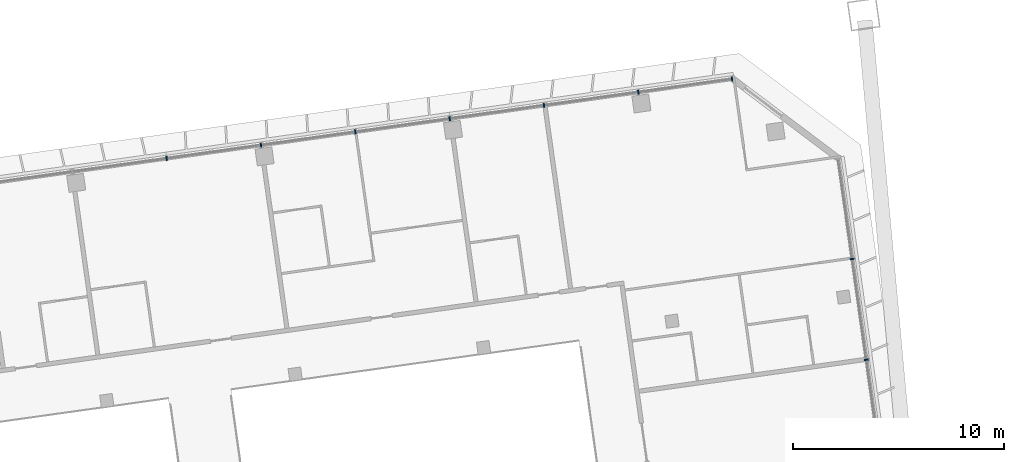
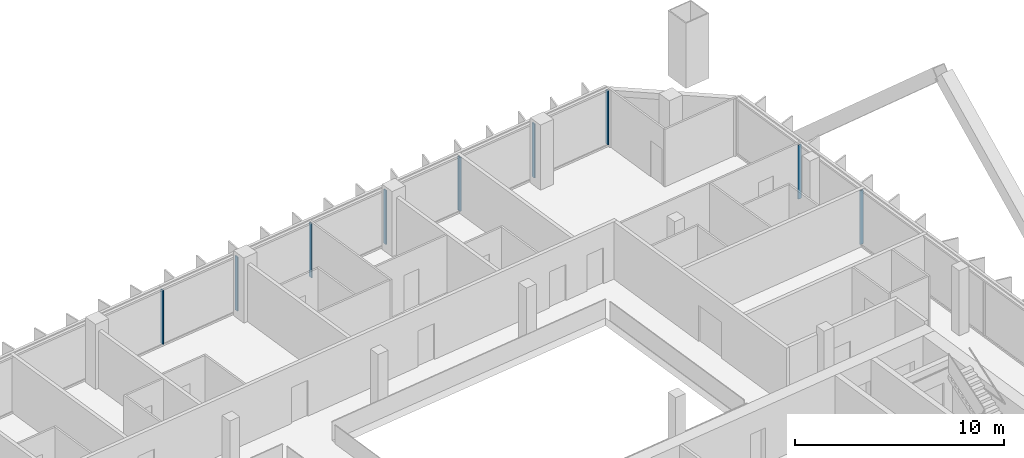
# One storey, part 13 of 28: 9 members, 2 elements without a shape of their own.
"""IFC4 building model written with IfcOpenShell, lengths in metres."""

from ifc_helpers import new_model, si_unit, direction, frame, origin, origin_2d, place, context, subcontext, project, spatial, rectangle, extrude, material, material_profile, profile_set, type_object, element, aggregate, save


model = new_model("IFC4")

# Units and contexts
model_context = context("Model", 3, precision=1e-05, world=origin(), true_north=direction((0.0, 1.0)))
body_context = subcontext(model_context, "Body", "Model", "MODEL_VIEW")
ifc_project = project(units=[si_unit("LENGTHUNIT", "METRE"), si_unit("AREAUNIT", "SQUARE_METRE"), si_unit("VOLUMEUNIT", "CUBIC_METRE"), si_unit("PLANEANGLEUNIT", "RADIAN"), si_unit("MASSUNIT", "GRAM", prefix="KILO")], contexts=[model_context])

# Site, building, storey
site_placement = place(None, origin())
site = spatial("IfcSite", under=ifc_project, at=site_placement, CompositionType="ELEMENT")
building_placement = place(site_placement, origin())
building = spatial("IfcBuilding", under=site, at=building_placement, Name="Mirante Cascada Hotel Towers", CompositionType="ELEMENT")
storey_placement = place(building_placement, frame((0.0, 0.0, 165.0)))
storey = spatial("IfcBuildingStorey", under=building, at=storey_placement, Name="L38", CompositionType="ELEMENT", Elevation=165.0)

# Curtain wall, members
ifc_material_1 = material(Name="Aluminium mullion and transom frame with clear laminated glass", Category="aluminium")
curtain_wall_type_1 = type_object("IfcCurtainWallType", Name="Ribbon curtain wall ECW1", PredefinedType="NOTDEFINED", material=ifc_material_1)
curtain_wall_1_placement = place(storey_placement, origin())
curtain_wall_1 = element("IfcCurtainWall", 1, at=curtain_wall_1_placement, inside=storey, type_object=curtain_wall_type_1, Name="Front ribbon wall T2 L38", PredefinedType="NOTDEFINED")
ifc_material_2 = material(Name="Anodised aluminium extrusion", Category="aluminium")
ifc_material_profile_1 = material_profile(ifc_material_2, rectangle(XDim=0.2, YDim=0.065, at=origin_2d()), Name="ECW1 MULLION 65x200")
ifc_profile_set_1 = profile_set([ifc_material_profile_1], Name="Anodised aluminium extrusion")
member_type_1 = type_object("IfcMemberType", Name="ECW1 mullion 65x200", PredefinedType="MULLION", material=ifc_profile_set_1)
member_1_placement = place(storey_placement, frame((85.2136, 24.795, 0.1), z_axis=(0.0, 0.0, 1.0), x_axis=(0.1391731, -0.9902681, 0.0)))
member_1 = element("IfcMember", 2, at=member_1_placement, type_object=member_type_1, Name="ECW1 mullion 1", PredefinedType="MULLION", context=body_context, shape_type="SweptSolid", body=[
    extrude(rectangle(XDim=0.2, YDim=0.065, at=origin_2d()), origin(), (0.0, 0.0, 1.0), 3.15),
])
member_2_placement = place(storey_placement, frame((80.7831, 24.1723, 0.1), z_axis=(0.0, 0.0, 1.0), x_axis=(0.1391731, -0.9902681, 0.0)))
member_2 = element("IfcMember", 3, at=member_2_placement, type_object=member_type_1, Name="ECW1 mullion 2", PredefinedType="MULLION", context=body_context, shape_type="SweptSolid", body=[
    extrude(rectangle(XDim=0.2, YDim=0.065, at=origin_2d()), origin(), (0.0, 0.0, 1.0), 3.15),
])
member_3_placement = place(storey_placement, frame((76.3204, 23.5452, 0.1), z_axis=(0.0, 0.0, 1.0), x_axis=(0.1391731, -0.9902681, 0.0)))
member_3 = element("IfcMember", 4, at=member_3_placement, type_object=member_type_1, Name="ECW1 mullion 3", PredefinedType="MULLION", context=body_context, shape_type="SweptSolid", body=[
    extrude(rectangle(XDim=0.2, YDim=0.065, at=origin_2d()), origin(), (0.0, 0.0, 1.0), 3.15),
])
member_4_placement = place(storey_placement, frame((71.8577, 22.918, 0.1), z_axis=(0.0, 0.0, 1.0), x_axis=(0.1391731, -0.9902681, 0.0)))
member_4 = element("IfcMember", 5, at=member_4_placement, type_object=member_type_1, Name="ECW1 mullion 4", PredefinedType="MULLION", context=body_context, shape_type="SweptSolid", body=[
    extrude(rectangle(XDim=0.2, YDim=0.065, at=origin_2d()), origin(), (0.0, 0.0, 1.0), 3.15),
])
member_5_placement = place(storey_placement, frame((67.395, 22.2908, 0.1), z_axis=(0.0, 0.0, 1.0), x_axis=(0.1391731, -0.9902681, 0.0)))
member_5 = element("IfcMember", 6, at=member_5_placement, type_object=member_type_1, Name="ECW1 mullion 5", PredefinedType="MULLION", context=body_context, shape_type="SweptSolid", body=[
    extrude(rectangle(XDim=0.2, YDim=0.065, at=origin_2d()), origin(), (0.0, 0.0, 1.0), 3.15),
])
member_6_placement = place(storey_placement, frame((62.9323, 21.6636, 0.1), z_axis=(0.0, 0.0, 1.0), x_axis=(0.1391731, -0.9902681, 0.0)))
member_6 = element("IfcMember", 7, at=member_6_placement, type_object=member_type_1, Name="ECW1 mullion 6", PredefinedType="MULLION", context=body_context, shape_type="SweptSolid", body=[
    extrude(rectangle(XDim=0.2, YDim=0.065, at=origin_2d()), origin(), (0.0, 0.0, 1.0), 3.15),
])
member_7_placement = place(storey_placement, frame((58.4696, 21.0364, 0.1), z_axis=(0.0, 0.0, 1.0), x_axis=(0.1391731, -0.9902681, 0.0)))
member_7 = element("IfcMember", 8, at=member_7_placement, type_object=member_type_1, Name="ECW1 mullion 7", PredefinedType="MULLION", context=body_context, shape_type="SweptSolid", body=[
    extrude(rectangle(XDim=0.2, YDim=0.065, at=origin_2d()), origin(), (0.0, 0.0, 1.0), 3.15),
])
aggregate(curtain_wall_1, [member_1, member_2, member_3, member_4, member_5, member_6, member_7])

ifc_material_3 = material(Name="Aluminium mullion and transom frame with clear laminated glass", Category="aluminium")
curtain_wall_type_2 = type_object("IfcCurtainWallType", Name="End ribbon curtain wall ECW2", PredefinedType="NOTDEFINED", material=ifc_material_3)
curtain_wall_2_placement = place(storey_placement, origin())
curtain_wall_2 = element("IfcCurtainWall", 9, at=curtain_wall_2_placement, inside=storey, type_object=curtain_wall_type_2, Name="Outer end wall T2 L38", PredefinedType="NOTDEFINED")
ifc_material_4 = material(Name="Anodised aluminium extrusion", Category="aluminium")
ifc_material_profile_2 = material_profile(ifc_material_4, rectangle(XDim=0.2, YDim=0.065, at=origin_2d()), Name="ECW2 MULLION 65x200")
ifc_profile_set_2 = profile_set([ifc_material_profile_2], Name="Anodised aluminium extrusion")
member_type_2 = type_object("IfcMemberType", Name="ECW2 mullion 65x200", PredefinedType="MULLION", material=ifc_profile_set_2)
member_8_placement = place(storey_placement, frame((91.5686, 11.5128, 0.1), z_axis=(0.0, 0.0, 1.0), x_axis=(-0.9902681, -0.1391731, 0.0)))
member_8 = element("IfcMember", 10, at=member_8_placement, type_object=member_type_2, Name="ECW2 mullion 5", PredefinedType="MULLION", context=body_context, shape_type="SweptSolid", body=[
    extrude(rectangle(XDim=0.2, YDim=0.065, at=origin_2d()), origin(), (0.0, 0.0, 1.0), 3.15),
])
member_9_placement = place(storey_placement, frame((90.8988, 16.2786, 0.1), z_axis=(0.0, 0.0, 1.0), x_axis=(-0.9902681, -0.1391731, 0.0)))
member_9 = element("IfcMember", 11, at=member_9_placement, type_object=member_type_2, Name="ECW2 mullion 6", PredefinedType="MULLION", context=body_context, shape_type="SweptSolid", body=[
    extrude(rectangle(XDim=0.2, YDim=0.065, at=origin_2d()), origin(), (0.0, 0.0, 1.0), 3.15),
])
aggregate(curtain_wall_2, [member_8, member_9])

save(model, "model.ifc")
